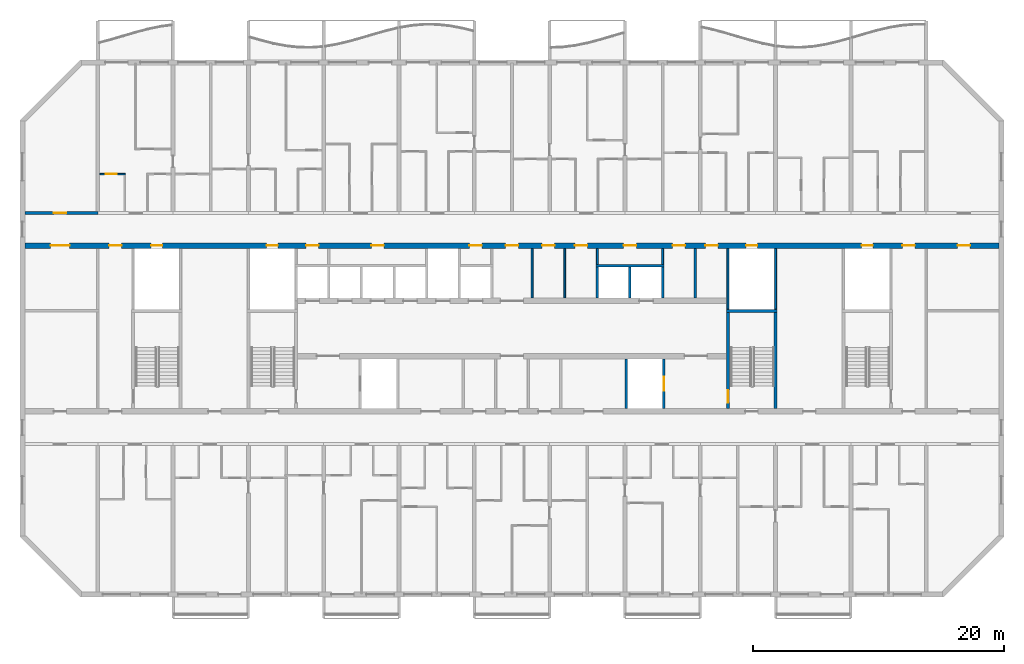
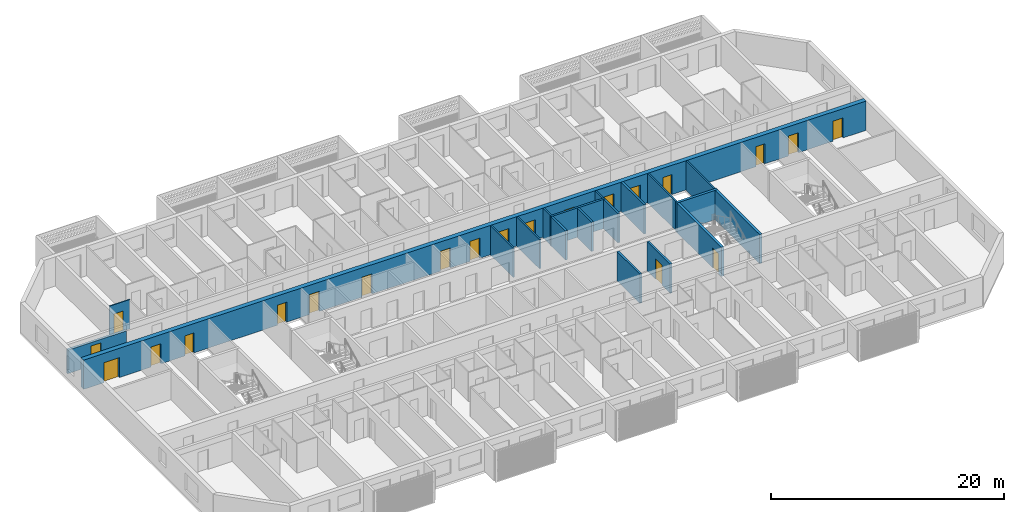
# One storey, part 8 of 33: 21 doors, 19 walls, 21 openings.
"""IFC4 building model written with IfcOpenShell, lengths in metres."""

from ifc_helpers import new_model, si_unit, direction, frame, frame_2d, origin, place, context, subcontext, project, spatial, rectangle, extrude, material, layer, layer_set, type_object, element, fill, save


model = new_model("IFC4")

# Units and contexts
model_context = context("Model", 3, precision=1e-05, world=origin(), true_north=direction((0.0, 1.0)))
body_context = subcontext(model_context, "Body", "Model", "MODEL_VIEW")
ifc_project = project(units=[si_unit("LENGTHUNIT", "METRE"), si_unit("AREAUNIT", "SQUARE_METRE"), si_unit("VOLUMEUNIT", "CUBIC_METRE"), si_unit("PLANEANGLEUNIT", "RADIAN"), si_unit("MASSUNIT", "GRAM", prefix="KILO")], contexts=[model_context])

# Site, building, storey
site_placement = place(None, origin())
site = spatial("IfcSite", under=ifc_project, at=site_placement, CompositionType="ELEMENT")
building_placement = place(site_placement, origin())
building = spatial("IfcBuilding", under=site, at=building_placement, Name="Poui Terraces", CompositionType="ELEMENT")
storey_placement = place(building_placement, frame((0.0, 0.0, 138.89990234375)))
storey = spatial("IfcBuildingStorey", under=building, at=storey_placement, Name="L38", CompositionType="ELEMENT", Elevation=138.89990234375)

# Wall
ifc_material_1 = material(Name="Fire-rated plasterboard wall")
ifc_layer_1 = layer(ifc_material_1, 0.14990234375)
ifc_layer_set_1 = layer_set([ifc_layer_1], Name="Fire-rated plasterboard wall")
wall_type_1 = type_object("IfcWallType", Name="CORRIDOR WALL 150", PredefinedType="PARTITIONING", material=ifc_layer_set_1)
wall_1_placement = place(storey_placement, frame((52.60009765625, 23.635009765625, 0.0), z_axis=(0.0, 0.0, 1.0), x_axis=(0.0, 1.0, 0.0)))
element("IfcWall", 1, at=wall_1_placement, inside=storey, type_object=wall_type_1, Name="CORRIDOR WALL 150", PredefinedType="PARTITIONING", context=body_context, shape_type="SweptSolid", body=[
    extrude(rectangle(XDim=3.929931640625, YDim=0.14990234375, at=frame_2d((1.96484375, 0.0))), origin(), (0.0, 0.0, 1.0), 3.070068359375),
])

# Wall, opening, door
ifc_material_2 = material(Name="Concrete 65 MPa", Category="concrete")
ifc_layer_2 = layer(ifc_material_2, 0.25)
ifc_layer_set_2 = layer_set([ifc_layer_2], Name="Concrete 65 MPa")
wall_type_2 = type_object("IfcWallType", Name="CORRIDOR WALL 250 65MPa", PredefinedType="SHEAR", material=ifc_layer_set_2)
wall_2_placement = place(storey_placement, frame((12.199951171875, 30.39990234375, 0.0), z_axis=(0.0, 0.0, 1.0), x_axis=(1.0, 0.0, 0.0)))
wall_2 = element("IfcWall", 2, at=wall_2_placement, inside=storey, type_object=wall_type_2, Name="CORRIDOR WALL LINE E BAY 1", PredefinedType="SHEAR", context=body_context, shape_type="SweptSolid", body=[
    extrude(rectangle(XDim=5.800048828125, YDim=0.25, at=frame_2d((2.89990234375, 0.0))), origin(), (0.0, 0.0, 1.0), 2.47021484375),
])
opening_1_placement = place(wall_2_placement, frame((2.300048828125, 0.0, 0.0)))
opening_1 = element("IfcOpeningElement", 3, at=opening_1_placement, cuts=wall_2, Name="Opening D100", PredefinedType="OPENING", context=body_context, shape_type="SweptSolid", body=[
    extrude(rectangle(XDim=1.0, YDim=2.10009765625, at=frame_2d((0.5, 1.050048828125))), frame((0.0, 0.135009765625, 0.0), z_axis=(0.0, -1.0, 0.0), x_axis=(1.0, 0.0, 0.0)), (0.0, 0.0, 1.0), 0.27001953125),
])
ifc_material_3 = material(Name="Solid core timber door", Category="wood")
door_type_1 = type_object("IfcDoorType", Name="ACCESSIBLE INTERNAL DOOR 1000 X 2100", OperationType="NOTDEFINED", PredefinedType="DOOR", material=ifc_material_3)
door_1_placement = place(opening_1_placement, origin())
door_1 = element("IfcDoor", 4, at=door_1_placement, inside=storey, type_object=door_type_1, Name="ACCESSIBLE INTERNAL DOOR 031", OperationType="SINGLE_SWING_LEFT", OverallHeight=2.10009765625, OverallWidth=1.0, PredefinedType="DOOR", context=body_context, shape_type="SweptSolid", body=[
    extrude(rectangle(XDim=1.0, YDim=2.10009765625, at=frame_2d((0.5, 1.050048828125))), frame((0.0, 0.02490234375, 0.0), z_axis=(0.0, -1.0, 0.0), x_axis=(1.0, 0.0, 0.0)), (0.0, 0.0, 1.0), 0.050048828125),
])
fill(opening_1, door_1)

ifc_material_4 = material(Name="Plasterboard partition")
ifc_layer_3 = layer(ifc_material_4, 0.10009765625)
ifc_layer_set_3 = layer_set([ifc_layer_3], Name="Plasterboard partition")
wall_type_3 = type_object("IfcWallType", Name="FLAT PARTITION 100", PredefinedType="PARTITIONING", material=ifc_layer_set_3)
wall_3_placement = place(storey_placement, frame((18.159912109375, 33.5, 0.0), z_axis=(0.0, 0.0, 1.0), x_axis=(1.0, 0.0, 0.0)))
wall_3 = element("IfcWall", 5, at=wall_3_placement, inside=storey, type_object=wall_type_3, Name="FLAT PARTITION 100", PredefinedType="PARTITIONING", context=body_context, shape_type="SweptSolid", body=[
    extrude(rectangle(XDim=2.0400390625, YDim=0.10009765625, at=frame_2d((1.02001953125, 0.0))), origin(), (0.0, 0.0, 1.0), 3.070068359375),
])
opening_2_placement = place(wall_3_placement, frame((0.465087890625, 0.0, 0.0)))
opening_2 = element("IfcOpeningElement", 6, at=opening_2_placement, cuts=wall_3, Name="Opening D90", PredefinedType="OPENING", context=body_context, shape_type="SweptSolid", body=[
    extrude(rectangle(XDim=0.89990234375, YDim=2.10009765625, at=frame_2d((0.449951171875, 1.050048828125))), frame((0.0, 0.06005859375, 0.0), z_axis=(0.0, -1.0, 0.0), x_axis=(1.0, 0.0, 0.0)), (0.0, 0.0, 1.0), 0.1201171875),
])
door_type_2 = type_object("IfcDoorType", Name="INTERNAL DOOR 900 X 2100", OperationType="NOTDEFINED", PredefinedType="DOOR", material=ifc_material_3)
door_2_placement = place(opening_2_placement, frame((0.89990234375, 0.0, 0.0), z_axis=(0.0, 0.0, 1.0), x_axis=(-1.0, 0.0, 0.0)))
door_2 = element("IfcDoor", 7, at=door_2_placement, inside=storey, type_object=door_type_2, Name="INTERNAL DOOR 033", OperationType="SINGLE_SWING_LEFT", OverallHeight=2.10009765625, OverallWidth=0.89990234375, PredefinedType="DOOR", context=body_context, shape_type="SweptSolid", body=[
    extrude(rectangle(XDim=0.89990234375, YDim=2.10009765625, at=frame_2d((0.449951171875, 1.050048828125))), frame((0.0, 0.02490234375, 0.0), z_axis=(0.0, -1.0, 0.0), x_axis=(1.0, 0.0, 0.0)), (0.0, 0.0, 1.0), 0.050048828125),
])
fill(opening_2, door_2)

# Walls
ifc_layer_4 = layer(ifc_material_4, 0.14990234375)
ifc_layer_set_4 = layer_set([ifc_layer_4], Name="Plasterboard partition")
wall_type_4 = type_object("IfcWallType", Name="PARTITION WALL 150", PredefinedType="PARTITIONING", material=ifc_layer_set_4)
wall_4_placement = place(storey_placement, frame((55.199951171875, 23.635009765625, 0.0), z_axis=(0.0, 0.0, 1.0), x_axis=(0.0, 1.0, 0.0)))
element("IfcWall", 8, at=wall_4_placement, inside=storey, type_object=wall_type_4, Name="PARTITION WALL 150", PredefinedType="PARTITIONING", context=body_context, shape_type="SweptSolid", body=[
    extrude(rectangle(XDim=3.929931640625, YDim=0.14990234375, at=frame_2d((1.96484375, 0.0))), origin(), (0.0, 0.0, 1.0), 3.070068359375),
])
for number, where, z_axis, x_axis, name in (
    (9, (57.800048828125, 26.300048828125, 0.0), (0.0, 0.0, 1.0), (0.0, 1.0, 0.0), "PARTITION WALL 150"),
    (10, (63.0, 26.300048828125, 0.0), (0.0, 0.0, 1.0), (0.0, 1.0, 0.0), "PARTITION WALL 150"),
):
    element("IfcWall", number, at=place(storey_placement, frame(where, z_axis=z_axis, x_axis=x_axis)), inside=storey, type_object=wall_type_4, Name=name, PredefinedType="PARTITIONING", context=body_context, shape_type="SweptSolid", body=[
        extrude(rectangle(XDim=1.264892578125, YDim=0.14990234375, at=frame_2d((0.63232421875, 0.0))), origin(), (0.0, 0.0, 1.0), 3.070068359375),
    ])
ifc_material_5 = material(Name="Fire-rated masonry wall", Category="masonry")
ifc_layer_5 = layer(ifc_material_5, 0.199951171875)
ifc_layer_set_5 = layer_set([ifc_layer_5], Name="Fire-rated masonry wall")
wall_type_5 = type_object("IfcWallType", Name="PLANT ROOM WALL 200", PredefinedType="PARTITIONING", material=ifc_layer_set_5)
wall_5_placement = place(storey_placement, frame((65.60009765625, 23.635009765625, 0.0), z_axis=(0.0, 0.0, 1.0), x_axis=(0.0, 1.0, 0.0)))
element("IfcWall", 11, at=wall_5_placement, inside=storey, type_object=wall_type_5, Name="PLANT ROOM WALL 200", PredefinedType="PARTITIONING", context=body_context, shape_type="SweptSolid", body=[
    extrude(rectangle(XDim=3.929931640625, YDim=0.199951171875, at=frame_2d((1.96484375, 0.0))), origin(), (0.0, 0.0, 1.0), 3.070068359375),
])
ifc_material_6 = material(Name="Fire-rated plasterboard riser wall")
ifc_layer_6 = layer(ifc_material_6, 0.14990234375)
ifc_layer_set_6 = layer_set([ifc_layer_6], Name="Fire-rated plasterboard riser wall")
wall_type_6 = type_object("IfcWallType", Name="RISER WALL 150", PredefinedType="PARTITIONING", material=ifc_layer_set_6)
for number, where, z_axis, x_axis, name in (
    (12, (68.199951171875, 22.735107421875, 0.0), (0.0, 0.0, 1.0), (0.0, 1.0, 0.0), "RISER WALL 150"),
    (13, (72.0, 22.735107421875, 0.0), (0.0, 0.0, 1.0), (0.0, 1.0, 0.0), "RISER WALL 150"),
):
    element("IfcWall", number, at=place(storey_placement, frame(where, z_axis=z_axis, x_axis=x_axis)), inside=storey, type_object=wall_type_6, Name=name, PredefinedType="PARTITIONING", context=body_context, shape_type="SweptSolid", body=[
        extrude(rectangle(XDim=4.829833984375, YDim=0.14990234375, at=frame_2d((2.4150390625, 0.0))), origin(), (0.0, 0.0, 1.0), 3.070068359375),
    ])
ifc_material_7 = material(Name="Fire-rated masonry shaft wall", Category="masonry")
ifc_layer_7 = layer(ifc_material_7, 0.199951171875)
ifc_layer_set_7 = layer_set([ifc_layer_7], Name="Fire-rated masonry shaft wall")
wall_type_7 = type_object("IfcWallType", Name="SHAFT WALL 200", PredefinedType="PARTITIONING", material=ifc_layer_set_7)
wall_6_placement = place(storey_placement, frame((57.699951171875, 26.199951171875, 0.0), z_axis=(0.0, 0.0, 1.0), x_axis=(1.0, 0.0, 0.0)))
element("IfcWall", 14, at=wall_6_placement, inside=storey, type_object=wall_type_7, Name="SHAFT WALL 200", PredefinedType="PARTITIONING", context=body_context, shape_type="SweptSolid", body=[
    extrude(rectangle(XDim=5.400146484375, YDim=0.199951171875, at=frame_2d((2.7001953125, 0.0))), origin(), (0.0, 0.0, 1.0), 3.070068359375),
])
wall_7_placement = place(storey_placement, frame((57.800048828125, 23.635009765625, 0.0), z_axis=(0.0, 0.0, 1.0), x_axis=(0.0, 1.0, 0.0)))
element("IfcWall", 15, at=wall_7_placement, inside=storey, type_object=wall_type_7, Name="SHAFT WALL 200", PredefinedType="PARTITIONING", context=body_context, shape_type="SweptSolid", body=[
    extrude(rectangle(XDim=2.465087890625, YDim=0.199951171875, at=frame_2d((1.232421875, 0.0))), origin(), (0.0, 0.0, 1.0), 3.070068359375),
])
wall_8_placement = place(storey_placement, frame((60.10009765625, 14.8349609375, 0.0), z_axis=(0.0, 0.0, 1.0), x_axis=(0.0, 1.0, 0.0)))
element("IfcWall", 16, at=wall_8_placement, inside=storey, type_object=wall_type_7, Name="SHAFT WALL 200", PredefinedType="PARTITIONING", context=body_context, shape_type="SweptSolid", body=[
    extrude(rectangle(XDim=3.929931640625, YDim=0.199951171875, at=frame_2d((1.96484375, 0.0))), origin(), (0.0, 0.0, 1.0), 3.070068359375),
])
for number, where, z_axis, x_axis, name in (
    (17, (60.39990234375, 23.635009765625, 0.0), (0.0, 0.0, 1.0), (0.0, 1.0, 0.0), "SHAFT WALL 200"),
    (18, (63.0, 23.635009765625, 0.0), (0.0, 0.0, 1.0), (0.0, 1.0, 0.0), "SHAFT WALL 200"),
):
    element("IfcWall", number, at=place(storey_placement, frame(where, z_axis=z_axis, x_axis=x_axis)), inside=storey, type_object=wall_type_7, Name=name, PredefinedType="PARTITIONING", context=body_context, shape_type="SweptSolid", body=[
        extrude(rectangle(XDim=2.465087890625, YDim=0.199951171875, at=frame_2d((1.232421875, 0.0))), origin(), (0.0, 0.0, 1.0), 3.070068359375),
    ])

# Wall, opening, door
wall_9_placement = place(storey_placement, frame((63.10009765625, 14.8349609375, 0.0), z_axis=(0.0, 0.0, 1.0), x_axis=(0.0, 1.0, 0.0)))
wall_9 = element("IfcWall", 19, at=wall_9_placement, inside=storey, type_object=wall_type_7, Name="SHAFT WALL 200", PredefinedType="PARTITIONING", context=body_context, shape_type="SweptSolid", body=[
    extrude(rectangle(XDim=3.929931640625, YDim=0.199951171875, at=frame_2d((1.96484375, 0.0))), origin(), (0.0, 0.0, 1.0), 3.070068359375),
])
opening_3_placement = place(wall_9_placement, frame((1.4150390625, 0.0, 0.0)))
opening_3 = element("IfcOpeningElement", 20, at=opening_3_placement, cuts=wall_9, Name="Opening LD", PredefinedType="OPENING", context=body_context, shape_type="SweptSolid", body=[
    extrude(rectangle(XDim=1.10009765625, YDim=2.10009765625, at=frame_2d((0.550048828125, 1.050048828125))), frame((0.0, 0.10986328125, 0.0), z_axis=(0.0, -1.0, 0.0), x_axis=(1.0, 0.0, 0.0)), (0.0, 0.0, 1.0), 0.219970703125),
])
ifc_material_8 = material(Name="Stainless steel sliding door", Category="steel")
door_type_3 = type_object("IfcDoorType", Name="LIFT LANDING DOOR 1100 X 2100", OperationType="DOUBLE_DOOR_SLIDING", PredefinedType="DOOR", material=ifc_material_8)
door_3_placement = place(opening_3_placement, origin())
door_3 = element("IfcDoor", 21, at=door_3_placement, inside=storey, type_object=door_type_3, Name="LANDING DOOR", OperationType="DOUBLE_DOOR_SLIDING", OverallHeight=2.10009765625, OverallWidth=1.10009765625, PredefinedType="DOOR", context=body_context, shape_type="SweptSolid", body=[
    extrude(rectangle(XDim=1.10009765625, YDim=2.10009765625, at=frame_2d((0.550048828125, 1.050048828125))), frame((0.0, 0.02490234375, 0.0), z_axis=(0.0, -1.0, 0.0), x_axis=(1.0, 0.0, 0.0)), (0.0, 0.0, 1.0), 0.050048828125),
])
fill(opening_3, door_3)

# Wall, openings, doors
ifc_layer_8 = layer(ifc_material_2, 0.449951171875)
ifc_layer_set_8 = layer_set([ifc_layer_8], Name="Concrete 65 MPa")
wall_type_8 = type_object("IfcWallType", Name="SPINE WALL 450 65 MPA", PredefinedType="SOLIDWALL", material=ifc_layer_set_8)
wall_10_placement = place(storey_placement, frame((12.199951171875, 27.800048828125, 0.0), z_axis=(0.0, 0.0, 1.0), x_axis=(1.0, 0.0, 0.0)))
wall_10 = element("IfcWall", 22, at=wall_10_placement, inside=storey, type_object=wall_type_8, Name="SPINE WALL", PredefinedType="SOLIDWALL", context=body_context, shape_type="SweptSolid", body=[
    extrude(rectangle(XDim=77.60009765625, YDim=0.449951171875, at=frame_2d((38.800048828125, 0.0))), origin(), (0.0, 0.0, 1.0), 3.070068359375),
])
opening_4_placement = place(wall_10_placement, frame((2.050048828125, 0.0, 0.0)))
opening_4 = element("IfcOpeningElement", 23, at=opening_4_placement, cuts=wall_10, Name="Opening FDP", PredefinedType="OPENING", context=body_context, shape_type="SweptSolid", body=[
    extrude(rectangle(XDim=1.5, YDim=2.10009765625, at=frame_2d((0.75, 1.050048828125))), frame((0.0, 0.23486328125, 0.0), z_axis=(0.0, -1.0, 0.0), x_axis=(1.0, 0.0, 0.0)), (0.0, 0.0, 1.0), 0.469970703125),
])
opening_5_placement = place(wall_10_placement, frame((6.699951171875, 0.0, 0.0)))
opening_5 = element("IfcOpeningElement", 24, at=opening_5_placement, cuts=wall_10, Name="Opening FDL", PredefinedType="OPENING", context=body_context, shape_type="SweptSolid", body=[
    extrude(rectangle(XDim=1.0, YDim=2.10009765625, at=frame_2d((0.5, 1.050048828125))), frame((0.0, 0.23486328125, 0.0), z_axis=(0.0, -1.0, 0.0), x_axis=(1.0, 0.0, 0.0)), (0.0, 0.0, 1.0), 0.469970703125),
])
opening_6_placement = place(wall_10_placement, frame((10.050048828125, 0.0, 0.0)))
opening_6 = element("IfcOpeningElement", 25, at=opening_6_placement, cuts=wall_10, Name="Opening FDR", PredefinedType="OPENING", context=body_context, shape_type="SweptSolid", body=[
    extrude(rectangle(XDim=0.89990234375, YDim=2.10009765625, at=frame_2d((0.449951171875, 1.050048828125))), frame((0.0, 0.23486328125, 0.0), z_axis=(0.0, -1.0, 0.0), x_axis=(1.0, 0.0, 0.0)), (0.0, 0.0, 1.0), 0.469970703125),
])
opening_7_placement = place(wall_10_placement, frame((19.25, 0.0, 0.0)))
opening_7 = element("IfcOpeningElement", 26, at=opening_7_placement, cuts=wall_10, Name="Opening FDR", PredefinedType="OPENING", context=body_context, shape_type="SweptSolid", body=[
    extrude(rectangle(XDim=0.89990234375, YDim=2.10009765625, at=frame_2d((0.449951171875, 1.050048828125))), frame((0.0, 0.23486328125, 0.0), z_axis=(0.0, -1.0, 0.0), x_axis=(1.0, 0.0, 0.0)), (0.0, 0.0, 1.0), 0.469970703125),
])
opening_8_placement = place(wall_10_placement, frame((22.39990234375, 0.0, 0.0)))
opening_8 = element("IfcOpeningElement", 27, at=opening_8_placement, cuts=wall_10, Name="Opening FD60", PredefinedType="OPENING", context=body_context, shape_type="SweptSolid", body=[
    extrude(rectangle(XDim=1.0, YDim=2.10009765625, at=frame_2d((0.5, 1.050048828125))), frame((0.0, 0.23486328125, 0.0), z_axis=(0.0, -1.0, 0.0), x_axis=(1.0, 0.0, 0.0)), (0.0, 0.0, 1.0), 0.469970703125),
])
opening_9_placement = place(wall_10_placement, frame((27.60009765625, 0.0, 0.0)))
opening_9 = element("IfcOpeningElement", 28, at=opening_9_placement, cuts=wall_10, Name="Opening FD60", PredefinedType="OPENING", context=body_context, shape_type="SweptSolid", body=[
    extrude(rectangle(XDim=1.0, YDim=2.10009765625, at=frame_2d((0.5, 1.050048828125))), frame((0.0, 0.23486328125, 0.0), z_axis=(0.0, -1.0, 0.0), x_axis=(1.0, 0.0, 0.0)), (0.0, 0.0, 1.0), 0.469970703125),
])
opening_10_placement = place(wall_10_placement, frame((35.39990234375, 0.0, 0.0)))
opening_10 = element("IfcOpeningElement", 29, at=opening_10_placement, cuts=wall_10, Name="Opening FD60", PredefinedType="OPENING", context=body_context, shape_type="SweptSolid", body=[
    extrude(rectangle(XDim=1.0, YDim=2.10009765625, at=frame_2d((0.5, 1.050048828125))), frame((0.0, 0.23486328125, 0.0), z_axis=(0.0, -1.0, 0.0), x_axis=(1.0, 0.0, 0.0)), (0.0, 0.0, 1.0), 0.469970703125),
])
opening_11_placement = place(wall_10_placement, frame((38.300048828125, 0.0, 0.0)))
opening_11 = element("IfcOpeningElement", 30, at=opening_11_placement, cuts=wall_10, Name="Opening FDL", PredefinedType="OPENING", context=body_context, shape_type="SweptSolid", body=[
    extrude(rectangle(XDim=1.0, YDim=2.10009765625, at=frame_2d((0.5, 1.050048828125))), frame((0.0, 0.23486328125, 0.0), z_axis=(0.0, -1.0, 0.0), x_axis=(1.0, 0.0, 0.0)), (0.0, 0.0, 1.0), 0.469970703125),
])
opening_12_placement = place(wall_10_placement, frame((41.199951171875, 0.0, 0.0)))
opening_12 = element("IfcOpeningElement", 31, at=opening_12_placement, cuts=wall_10, Name="Opening FD60", PredefinedType="OPENING", context=body_context, shape_type="SweptSolid", body=[
    extrude(rectangle(XDim=1.0, YDim=2.10009765625, at=frame_2d((0.5, 1.050048828125))), frame((0.0, 0.23486328125, 0.0), z_axis=(0.0, -1.0, 0.0), x_axis=(1.0, 0.0, 0.0)), (0.0, 0.0, 1.0), 0.469970703125),
])
opening_13_placement = place(wall_10_placement, frame((43.800048828125, 0.0, 0.0)))
opening_13 = element("IfcOpeningElement", 32, at=opening_13_placement, cuts=wall_10, Name="Opening FD60", PredefinedType="OPENING", context=body_context, shape_type="SweptSolid", body=[
    extrude(rectangle(XDim=1.0, YDim=2.10009765625, at=frame_2d((0.5, 1.050048828125))), frame((0.0, 0.23486328125, 0.0), z_axis=(0.0, -1.0, 0.0), x_axis=(1.0, 0.0, 0.0)), (0.0, 0.0, 1.0), 0.469970703125),
])
opening_14_placement = place(wall_10_placement, frame((47.699951171875, 0.0, 0.0)))
opening_14 = element("IfcOpeningElement", 33, at=opening_14_placement, cuts=wall_10, Name="Opening FD60", PredefinedType="OPENING", context=body_context, shape_type="SweptSolid", body=[
    extrude(rectangle(XDim=1.0, YDim=2.10009765625, at=frame_2d((0.5, 1.050048828125))), frame((0.0, 0.23486328125, 0.0), z_axis=(0.0, -1.0, 0.0), x_axis=(1.0, 0.0, 0.0)), (0.0, 0.0, 1.0), 0.469970703125),
])
opening_15_placement = place(wall_10_placement, frame((51.60009765625, 0.0, 0.0)))
opening_15 = element("IfcOpeningElement", 34, at=opening_15_placement, cuts=wall_10, Name="Opening FD60", PredefinedType="OPENING", context=body_context, shape_type="SweptSolid", body=[
    extrude(rectangle(XDim=1.0, YDim=2.10009765625, at=frame_2d((0.5, 1.050048828125))), frame((0.0, 0.23486328125, 0.0), z_axis=(0.0, -1.0, 0.0), x_axis=(1.0, 0.0, 0.0)), (0.0, 0.0, 1.0), 0.469970703125),
])
opening_16_placement = place(wall_10_placement, frame((54.199951171875, 0.0, 0.0)))
opening_16 = element("IfcOpeningElement", 35, at=opening_16_placement, cuts=wall_10, Name="Opening FD60", PredefinedType="OPENING", context=body_context, shape_type="SweptSolid", body=[
    extrude(rectangle(XDim=1.0, YDim=2.10009765625, at=frame_2d((0.5, 1.050048828125))), frame((0.0, 0.23486328125, 0.0), z_axis=(0.0, -1.0, 0.0), x_axis=(1.0, 0.0, 0.0)), (0.0, 0.0, 1.0), 0.469970703125),
])
opening_17_placement = place(wall_10_placement, frame((57.449951171875, 0.0, 0.0)))
opening_17 = element("IfcOpeningElement", 36, at=opening_17_placement, cuts=wall_10, Name="Opening FDR", PredefinedType="OPENING", context=body_context, shape_type="SweptSolid", body=[
    extrude(rectangle(XDim=0.89990234375, YDim=2.10009765625, at=frame_2d((0.449951171875, 1.050048828125))), frame((0.0, 0.23486328125, 0.0), z_axis=(0.0, -1.0, 0.0), x_axis=(1.0, 0.0, 0.0)), (0.0, 0.0, 1.0), 0.469970703125),
])
opening_18_placement = place(wall_10_placement, frame((66.64990234375, 0.0, 0.0)))
opening_18 = element("IfcOpeningElement", 37, at=opening_18_placement, cuts=wall_10, Name="Opening FDR", PredefinedType="OPENING", context=body_context, shape_type="SweptSolid", body=[
    extrude(rectangle(XDim=0.89990234375, YDim=2.10009765625, at=frame_2d((0.449951171875, 1.050048828125))), frame((0.0, 0.23486328125, 0.0), z_axis=(0.0, -1.0, 0.0), x_axis=(1.0, 0.0, 0.0)), (0.0, 0.0, 1.0), 0.469970703125),
])
opening_19_placement = place(wall_10_placement, frame((69.89990234375, 0.0, 0.0)))
opening_19 = element("IfcOpeningElement", 38, at=opening_19_placement, cuts=wall_10, Name="Opening FDL", PredefinedType="OPENING", context=body_context, shape_type="SweptSolid", body=[
    extrude(rectangle(XDim=1.0, YDim=2.10009765625, at=frame_2d((0.5, 1.050048828125))), frame((0.0, 0.23486328125, 0.0), z_axis=(0.0, -1.0, 0.0), x_axis=(1.0, 0.0, 0.0)), (0.0, 0.0, 1.0), 0.469970703125),
])
opening_20_placement = place(wall_10_placement, frame((74.300048828125, 0.0, 0.0)))
opening_20 = element("IfcOpeningElement", 39, at=opening_20_placement, cuts=wall_10, Name="Opening FD60", PredefinedType="OPENING", context=body_context, shape_type="SweptSolid", body=[
    extrude(rectangle(XDim=1.0, YDim=2.10009765625, at=frame_2d((0.5, 1.050048828125))), frame((0.0, 0.23486328125, 0.0), z_axis=(0.0, -1.0, 0.0), x_axis=(1.0, 0.0, 0.0)), (0.0, 0.0, 1.0), 0.469970703125),
])
ifc_material_9 = material(Name="Steel fire door", Category="steel")
door_type_4 = type_object("IfcDoorType", Name="LOBBY FIRE DOOR 1000 X 2100", OperationType="NOTDEFINED", PredefinedType="DOOR", material=ifc_material_9)
door_4_placement = place(opening_5_placement, origin())
door_4 = element("IfcDoor", 40, at=door_4_placement, inside=storey, type_object=door_type_4, Name="LOBBY FIRE DOOR 002", OperationType="SINGLE_SWING_LEFT", OverallHeight=2.10009765625, OverallWidth=1.0, PredefinedType="DOOR", context=body_context, shape_type="SweptSolid", body=[
    extrude(rectangle(XDim=1.0, YDim=2.10009765625, at=frame_2d((0.5, 1.050048828125))), frame((0.0, 0.02490234375, 0.0), z_axis=(0.0, -1.0, 0.0), x_axis=(1.0, 0.0, 0.0)), (0.0, 0.0, 1.0), 0.050048828125),
])
fill(opening_5, door_4)
door_5_placement = place(opening_11_placement, origin())
door_5 = element("IfcDoor", 41, at=door_5_placement, inside=storey, type_object=door_type_4, Name="LOBBY FIRE DOOR 008", OperationType="SINGLE_SWING_RIGHT", OverallHeight=2.10009765625, OverallWidth=1.0, PredefinedType="DOOR", context=body_context, shape_type="SweptSolid", body=[
    extrude(rectangle(XDim=1.0, YDim=2.10009765625, at=frame_2d((0.5, 1.050048828125))), frame((0.0, 0.02490234375, 0.0), z_axis=(0.0, -1.0, 0.0), x_axis=(1.0, 0.0, 0.0)), (0.0, 0.0, 1.0), 0.050048828125),
])
fill(opening_11, door_5)
door_6_placement = place(opening_19_placement, origin())
door_6 = element("IfcDoor", 42, at=door_6_placement, inside=storey, type_object=door_type_4, Name="LOBBY FIRE DOOR 016", OperationType="SINGLE_SWING_RIGHT", OverallHeight=2.10009765625, OverallWidth=1.0, PredefinedType="DOOR", context=body_context, shape_type="SweptSolid", body=[
    extrude(rectangle(XDim=1.0, YDim=2.10009765625, at=frame_2d((0.5, 1.050048828125))), frame((0.0, 0.02490234375, 0.0), z_axis=(0.0, -1.0, 0.0), x_axis=(1.0, 0.0, 0.0)), (0.0, 0.0, 1.0), 0.050048828125),
])
fill(opening_19, door_6)
door_type_5 = type_object("IfcDoorType", Name="PLANT ROOM DOOR PAIR 1500 X 2100", OperationType="DOUBLE_DOOR_SINGLE_SWING", PredefinedType="DOOR", material=ifc_material_9)
door_7_placement = place(opening_4_placement, origin())
door_7 = element("IfcDoor", 43, at=door_7_placement, inside=storey, type_object=door_type_5, Name="PLANT ROOM DOOR PAIR 001", OperationType="DOUBLE_DOOR_SINGLE_SWING", OverallHeight=2.10009765625, OverallWidth=1.5, PredefinedType="DOOR", context=body_context, shape_type="SweptSolid", body=[
    extrude(rectangle(XDim=1.5, YDim=2.10009765625, at=frame_2d((0.75, 1.050048828125))), frame((0.0, 0.02490234375, 0.0), z_axis=(0.0, -1.0, 0.0), x_axis=(1.0, 0.0, 0.0)), (0.0, 0.0, 1.0), 0.050048828125),
])
fill(opening_4, door_7)
door_type_6 = type_object("IfcDoorType", Name="RISER CUPBOARD DOOR 900 X 2100", OperationType="NOTDEFINED", PredefinedType="DOOR", material=ifc_material_9)
door_8_placement = place(opening_6_placement, origin())
door_8 = element("IfcDoor", 44, at=door_8_placement, inside=storey, type_object=door_type_6, Name="RISER CUPBOARD DOOR 003", OperationType="SINGLE_SWING_LEFT", OverallHeight=2.10009765625, OverallWidth=0.89990234375, PredefinedType="DOOR", context=body_context, shape_type="SweptSolid", body=[
    extrude(rectangle(XDim=0.89990234375, YDim=2.10009765625, at=frame_2d((0.449951171875, 1.050048828125))), frame((0.0, 0.02490234375, 0.0), z_axis=(0.0, -1.0, 0.0), x_axis=(1.0, 0.0, 0.0)), (0.0, 0.0, 1.0), 0.050048828125),
])
fill(opening_6, door_8)
door_9_placement = place(opening_7_placement, origin())
door_9 = element("IfcDoor", 45, at=door_9_placement, inside=storey, type_object=door_type_6, Name="RISER CUPBOARD DOOR 004", OperationType="SINGLE_SWING_LEFT", OverallHeight=2.10009765625, OverallWidth=0.89990234375, PredefinedType="DOOR", context=body_context, shape_type="SweptSolid", body=[
    extrude(rectangle(XDim=0.89990234375, YDim=2.10009765625, at=frame_2d((0.449951171875, 1.050048828125))), frame((0.0, 0.02490234375, 0.0), z_axis=(0.0, -1.0, 0.0), x_axis=(1.0, 0.0, 0.0)), (0.0, 0.0, 1.0), 0.050048828125),
])
fill(opening_7, door_9)
door_10_placement = place(opening_17_placement, origin())
door_10 = element("IfcDoor", 46, at=door_10_placement, inside=storey, type_object=door_type_6, Name="RISER CUPBOARD DOOR 014", OperationType="SINGLE_SWING_RIGHT", OverallHeight=2.10009765625, OverallWidth=0.89990234375, PredefinedType="DOOR", context=body_context, shape_type="SweptSolid", body=[
    extrude(rectangle(XDim=0.89990234375, YDim=2.10009765625, at=frame_2d((0.449951171875, 1.050048828125))), frame((0.0, 0.02490234375, 0.0), z_axis=(0.0, -1.0, 0.0), x_axis=(1.0, 0.0, 0.0)), (0.0, 0.0, 1.0), 0.050048828125),
])
fill(opening_17, door_10)
door_11_placement = place(opening_18_placement, origin())
door_11 = element("IfcDoor", 47, at=door_11_placement, inside=storey, type_object=door_type_6, Name="RISER CUPBOARD DOOR 015", OperationType="SINGLE_SWING_RIGHT", OverallHeight=2.10009765625, OverallWidth=0.89990234375, PredefinedType="DOOR", context=body_context, shape_type="SweptSolid", body=[
    extrude(rectangle(XDim=0.89990234375, YDim=2.10009765625, at=frame_2d((0.449951171875, 1.050048828125))), frame((0.0, 0.02490234375, 0.0), z_axis=(0.0, -1.0, 0.0), x_axis=(1.0, 0.0, 0.0)), (0.0, 0.0, 1.0), 0.050048828125),
])
fill(opening_18, door_11)
door_type_7 = type_object("IfcDoorType", Name="SERVICE ROOM FIRE DOOR 1000 X 2100", OperationType="NOTDEFINED", PredefinedType="DOOR", material=ifc_material_9)
door_12_placement = place(opening_8_placement, origin())
door_12 = element("IfcDoor", 48, at=door_12_placement, inside=storey, type_object=door_type_7, Name="SERVICE ROOM FIRE DOOR 005", OperationType="SINGLE_SWING_LEFT", OverallHeight=2.10009765625, OverallWidth=1.0, PredefinedType="DOOR", context=body_context, shape_type="SweptSolid", body=[
    extrude(rectangle(XDim=1.0, YDim=2.10009765625, at=frame_2d((0.5, 1.050048828125))), frame((0.0, 0.02490234375, 0.0), z_axis=(0.0, -1.0, 0.0), x_axis=(1.0, 0.0, 0.0)), (0.0, 0.0, 1.0), 0.050048828125),
])
fill(opening_8, door_12)
door_13_placement = place(opening_9_placement, origin())
door_13 = element("IfcDoor", 49, at=door_13_placement, inside=storey, type_object=door_type_7, Name="SERVICE ROOM FIRE DOOR 006", OperationType="SINGLE_SWING_RIGHT", OverallHeight=2.10009765625, OverallWidth=1.0, PredefinedType="DOOR", context=body_context, shape_type="SweptSolid", body=[
    extrude(rectangle(XDim=1.0, YDim=2.10009765625, at=frame_2d((0.5, 1.050048828125))), frame((0.0, 0.02490234375, 0.0), z_axis=(0.0, -1.0, 0.0), x_axis=(1.0, 0.0, 0.0)), (0.0, 0.0, 1.0), 0.050048828125),
])
fill(opening_9, door_13)
door_14_placement = place(opening_10_placement, origin())
door_14 = element("IfcDoor", 50, at=door_14_placement, inside=storey, type_object=door_type_7, Name="SERVICE ROOM FIRE DOOR 007", OperationType="SINGLE_SWING_LEFT", OverallHeight=2.10009765625, OverallWidth=1.0, PredefinedType="DOOR", context=body_context, shape_type="SweptSolid", body=[
    extrude(rectangle(XDim=1.0, YDim=2.10009765625, at=frame_2d((0.5, 1.050048828125))), frame((0.0, 0.02490234375, 0.0), z_axis=(0.0, -1.0, 0.0), x_axis=(1.0, 0.0, 0.0)), (0.0, 0.0, 1.0), 0.050048828125),
])
fill(opening_10, door_14)
door_15_placement = place(opening_12_placement, origin())
door_15 = element("IfcDoor", 51, at=door_15_placement, inside=storey, type_object=door_type_7, Name="SERVICE ROOM FIRE DOOR 009", OperationType="SINGLE_SWING_RIGHT", OverallHeight=2.10009765625, OverallWidth=1.0, PredefinedType="DOOR", context=body_context, shape_type="SweptSolid", body=[
    extrude(rectangle(XDim=1.0, YDim=2.10009765625, at=frame_2d((0.5, 1.050048828125))), frame((0.0, 0.02490234375, 0.0), z_axis=(0.0, -1.0, 0.0), x_axis=(1.0, 0.0, 0.0)), (0.0, 0.0, 1.0), 0.050048828125),
])
fill(opening_12, door_15)
door_16_placement = place(opening_13_placement, origin())
door_16 = element("IfcDoor", 52, at=door_16_placement, inside=storey, type_object=door_type_7, Name="SERVICE ROOM FIRE DOOR 010", OperationType="SINGLE_SWING_LEFT", OverallHeight=2.10009765625, OverallWidth=1.0, PredefinedType="DOOR", context=body_context, shape_type="SweptSolid", body=[
    extrude(rectangle(XDim=1.0, YDim=2.10009765625, at=frame_2d((0.5, 1.050048828125))), frame((0.0, 0.02490234375, 0.0), z_axis=(0.0, -1.0, 0.0), x_axis=(1.0, 0.0, 0.0)), (0.0, 0.0, 1.0), 0.050048828125),
])
fill(opening_13, door_16)
door_17_placement = place(opening_14_placement, origin())
door_17 = element("IfcDoor", 53, at=door_17_placement, inside=storey, type_object=door_type_7, Name="SERVICE ROOM FIRE DOOR 011", OperationType="SINGLE_SWING_RIGHT", OverallHeight=2.10009765625, OverallWidth=1.0, PredefinedType="DOOR", context=body_context, shape_type="SweptSolid", body=[
    extrude(rectangle(XDim=1.0, YDim=2.10009765625, at=frame_2d((0.5, 1.050048828125))), frame((0.0, 0.02490234375, 0.0), z_axis=(0.0, -1.0, 0.0), x_axis=(1.0, 0.0, 0.0)), (0.0, 0.0, 1.0), 0.050048828125),
])
fill(opening_14, door_17)
door_18_placement = place(opening_15_placement, origin())
door_18 = element("IfcDoor", 54, at=door_18_placement, inside=storey, type_object=door_type_7, Name="SERVICE ROOM FIRE DOOR 012", OperationType="SINGLE_SWING_LEFT", OverallHeight=2.10009765625, OverallWidth=1.0, PredefinedType="DOOR", context=body_context, shape_type="SweptSolid", body=[
    extrude(rectangle(XDim=1.0, YDim=2.10009765625, at=frame_2d((0.5, 1.050048828125))), frame((0.0, 0.02490234375, 0.0), z_axis=(0.0, -1.0, 0.0), x_axis=(1.0, 0.0, 0.0)), (0.0, 0.0, 1.0), 0.050048828125),
])
fill(opening_15, door_18)
door_19_placement = place(opening_16_placement, origin())
door_19 = element("IfcDoor", 55, at=door_19_placement, inside=storey, type_object=door_type_7, Name="SERVICE ROOM FIRE DOOR 013", OperationType="SINGLE_SWING_RIGHT", OverallHeight=2.10009765625, OverallWidth=1.0, PredefinedType="DOOR", context=body_context, shape_type="SweptSolid", body=[
    extrude(rectangle(XDim=1.0, YDim=2.10009765625, at=frame_2d((0.5, 1.050048828125))), frame((0.0, 0.02490234375, 0.0), z_axis=(0.0, -1.0, 0.0), x_axis=(1.0, 0.0, 0.0)), (0.0, 0.0, 1.0), 0.050048828125),
])
fill(opening_16, door_19)
door_20_placement = place(opening_20_placement, origin())
door_20 = element("IfcDoor", 56, at=door_20_placement, inside=storey, type_object=door_type_7, Name="SERVICE ROOM FIRE DOOR 017", OperationType="SINGLE_SWING_RIGHT", OverallHeight=2.10009765625, OverallWidth=1.0, PredefinedType="DOOR", context=body_context, shape_type="SweptSolid", body=[
    extrude(rectangle(XDim=1.0, YDim=2.10009765625, at=frame_2d((0.5, 1.050048828125))), frame((0.0, 0.02490234375, 0.0), z_axis=(0.0, -1.0, 0.0), x_axis=(1.0, 0.0, 0.0)), (0.0, 0.0, 1.0), 0.050048828125),
])
fill(opening_20, door_20)

# Wall, opening, door
ifc_layer_9 = layer(ifc_material_2, 0.25)
ifc_layer_set_9 = layer_set([ifc_layer_9], Name="Concrete 65 MPa")
wall_type_9 = type_object("IfcWallType", Name="STAIR CORE WALL 250 65 MPA", PredefinedType="SOLIDWALL", material=ifc_layer_set_9)
wall_11_placement = place(storey_placement, frame((68.199951171875, 14.824951171875, 0.0), z_axis=(0.0, 0.0, 1.0), x_axis=(0.0, 1.0, 0.0)))
wall_11 = element("IfcWall", 57, at=wall_11_placement, inside=storey, type_object=wall_type_9, Name="STAIR CORE WALL", PredefinedType="SOLIDWALL", context=body_context, shape_type="SweptSolid", body=[
    extrude(rectangle(XDim=7.650146484375, YDim=0.25, at=frame_2d((3.8251953125, 0.0))), origin(), (0.0, 0.0, 1.0), 3.070068359375),
])
opening_21_placement = place(wall_11_placement, frame((0.47509765625, 0.0, 0.0)))
opening_21 = element("IfcOpeningElement", 58, at=opening_21_placement, cuts=wall_11, Name="Opening FD60S", PredefinedType="OPENING", context=body_context, shape_type="SweptSolid", body=[
    extrude(rectangle(XDim=1.0, YDim=2.10009765625, at=frame_2d((0.5, 1.050048828125))), frame((0.0, 0.135009765625, 0.0), z_axis=(0.0, -1.0, 0.0), x_axis=(1.0, 0.0, 0.0)), (0.0, 0.0, 1.0), 0.27001953125),
])
door_type_8 = type_object("IfcDoorType", Name="STAIR DOOR 1000 X 2100", OperationType="NOTDEFINED", PredefinedType="DOOR", material=ifc_material_9)
door_21_placement = place(opening_21_placement, frame((1.0, 0.0, 0.0), z_axis=(0.0, 0.0, 1.0), x_axis=(-1.0, 0.0, 0.0)))
door_21 = element("IfcDoor", 59, at=door_21_placement, inside=storey, type_object=door_type_8, Name="STAIR DOOR 118", OperationType="SINGLE_SWING_LEFT", OverallHeight=2.10009765625, OverallWidth=1.0, PredefinedType="DOOR", context=body_context, shape_type="SweptSolid", body=[
    extrude(rectangle(XDim=1.0, YDim=2.10009765625, at=frame_2d((0.5, 1.050048828125))), frame((0.0, 0.02490234375, 0.0), z_axis=(0.0, -1.0, 0.0), x_axis=(1.0, 0.0, 0.0)), (0.0, 0.0, 1.0), 0.050048828125),
])
fill(opening_21, door_21)

# Walls
wall_12_placement = place(storey_placement, frame((72.0, 14.824951171875, 0.0), z_axis=(0.0, 0.0, 1.0), x_axis=(0.0, 1.0, 0.0)))
element("IfcWall", 60, at=wall_12_placement, inside=storey, type_object=wall_type_9, Name="STAIR CORE WALL", PredefinedType="SOLIDWALL", context=body_context, shape_type="SweptSolid", body=[
    extrude(rectangle(XDim=7.650146484375, YDim=0.25, at=frame_2d((3.8251953125, 0.0))), origin(), (0.0, 0.0, 1.0), 3.070068359375),
])
wall_13_placement = place(storey_placement, frame((68.074951171875, 22.60009765625, 0.0), z_axis=(0.0, 0.0, 1.0), x_axis=(1.0, 0.0, 0.0)))
element("IfcWall", 61, at=wall_13_placement, inside=storey, type_object=wall_type_9, Name="STAIR CORE WALL", PredefinedType="SOLIDWALL", context=body_context, shape_type="SweptSolid", body=[
    extrude(rectangle(XDim=4.050048828125, YDim=0.25, at=frame_2d((2.02490234375, 0.0))), origin(), (0.0, 0.0, 1.0), 3.070068359375),
])

save(model, "model.ifc")
